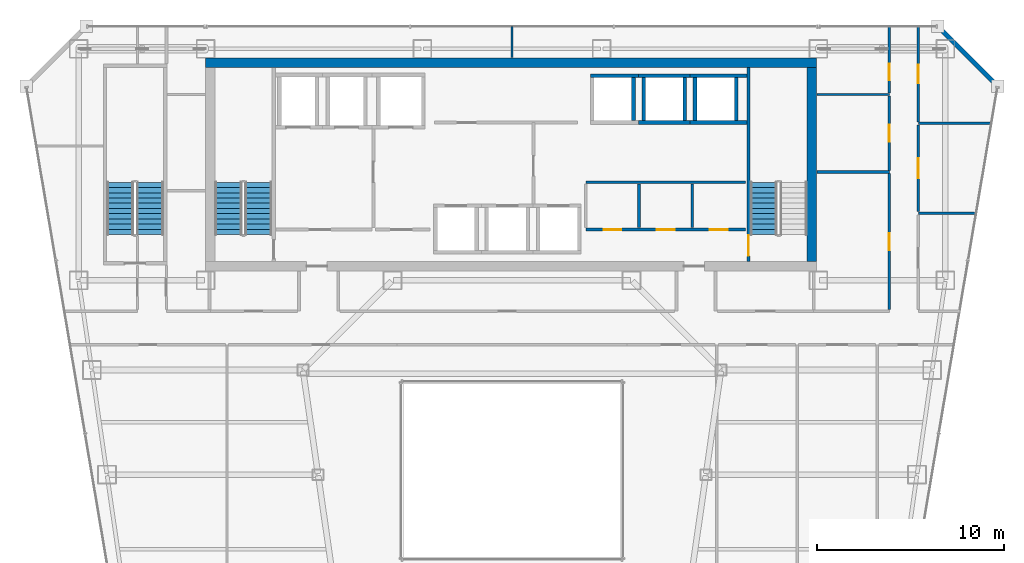
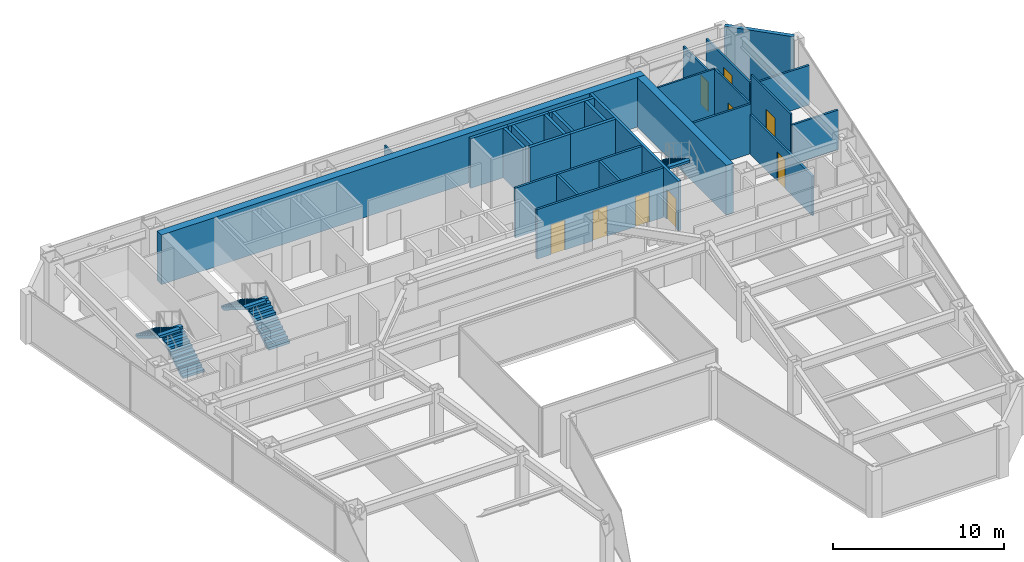
# One storey, part 31 of 35: 28 walls, 9 doors, 5 stair flights, 9 openings, 3 elements without a shape of their own.
"""IFC4 building model written with IfcOpenShell, lengths in metres."""

from ifc_helpers import new_model, si_unit, direction, frame, frame_2d, origin, place, context, subcontext, project, spatial, polyline, rectangle, outline, extrude, material, layer, layer_set, type_object, element, fill, aggregate, save


model = new_model("IFC4")

# Units and contexts
model_context = context("Model", 3, precision=1e-05, world=origin(), true_north=direction((0.0, 1.0)))
body_context = subcontext(model_context, "Body", "Model", "MODEL_VIEW")
ifc_project = project(units=[si_unit("LENGTHUNIT", "METRE"), si_unit("AREAUNIT", "SQUARE_METRE"), si_unit("VOLUMEUNIT", "CUBIC_METRE"), si_unit("PLANEANGLEUNIT", "RADIAN"), si_unit("MASSUNIT", "GRAM", prefix="KILO")], contexts=[model_context])

# Site, building, storey
site_placement = place(None, origin())
site = spatial("IfcSite", under=ifc_project, at=site_placement, CompositionType="ELEMENT")
building_placement = place(site_placement, origin())
building = spatial("IfcBuilding", under=site, at=building_placement, Name="Saevonmaru Cultural Tower", CompositionType="ELEMENT")
storey_placement = place(building_placement, frame((0.0, 0.0, 175.199951171875)))
storey = spatial("IfcBuildingStorey", under=building, at=storey_placement, Name="L39", CompositionType="ELEMENT", Elevation=175.199951171875)

# Walls
ifc_material_1 = material(Name="Concrete C60/75", Category="concrete")
ifc_layer_1 = layer(ifc_material_1, 0.5, Name="Concrete C60/75")
ifc_layer_set_1 = layer_set([ifc_layer_1], Name="Concrete C60/75")
wall_type_1 = type_object("IfcWallType", Name="WL-CORE-500", PredefinedType="SHEAR", material=ifc_layer_set_1)
wall_1_placement = place(storey_placement, frame((13.60009765625, 54.050048828125, 0.0), z_axis=(0.0, 0.0, 1.0), x_axis=(1.0, 0.0, 0.0)))
element("IfcWall", 1, at=wall_1_placement, inside=storey, type_object=wall_type_1, Name="L39 Tower RC core shear wall N", PredefinedType="SHEAR", context=body_context, shape_type="SweptSolid", body=[
    extrude(rectangle(XDim=32.699951171875, YDim=0.5, at=frame_2d((16.35009765625, 0.0))), origin(), (0.0, 0.0, 1.0), 3.550048828125),
])
wall_2_placement = place(storey_placement, frame((46.050048828125, 43.39990234375, 0.0), z_axis=(0.0, 0.0, 1.0), x_axis=(0.0, 1.0, 0.0)))
element("IfcWall", 2, at=wall_2_placement, inside=storey, type_object=wall_type_1, Name="L39 Tower RC core shear wall E", PredefinedType="SHEAR", context=body_context, shape_type="SweptSolid", body=[
    extrude(rectangle(XDim=10.400146484375, YDim=0.5, at=frame_2d((5.2001953125, 0.0))), origin(), (0.0, 0.0, 1.0), 3.550048828125),
])

# Wall, openings, doors
ifc_material_2 = material(Name="Gypsum Fireboard Partition", Category="gypsum")
ifc_layer_2 = layer(ifc_material_2, 0.14990234375, Name="Gypsum Fireboard Partition")
ifc_layer_set_2 = layer_set([ifc_layer_2], Name="Gypsum Fireboard Partition")
wall_type_2 = type_object("IfcWallType", Name="WL-CORE-PART-150", PredefinedType="PARTITIONING", material=ifc_layer_set_2)
wall_3_placement = place(storey_placement, frame((33.949951171875, 45.1201171875, 0.0), z_axis=(0.0, 0.0, 1.0), x_axis=(1.0, 0.0, 0.0)))
wall_3 = element("IfcWall", 3, at=wall_3_placement, inside=storey, type_object=wall_type_2, Name="L39 Core Utility South Wall", PredefinedType="PARTITIONING", context=body_context, shape_type="SweptSolid", body=[
    extrude(rectangle(XDim=8.550048828125, YDim=0.14990234375, at=frame_2d((4.27490234375, 0.0))), origin(), (0.0, 0.0, 1.0), 3.550048828125),
])
opening_1_placement = place(wall_3_placement, frame((0.949951171875, 0.0, 0.0)))
opening_1 = element("IfcOpeningElement", 4, at=opening_1_placement, cuts=wall_3, Name="Opening FD-4", PredefinedType="OPENING", context=body_context, shape_type="SweptSolid", body=[
    extrude(rectangle(XDim=0.949951171875, YDim=2.14990234375, at=frame_2d((0.47509765625, 1.074951171875))), frame((0.0, 0.0849609375, 0.0), z_axis=(0.0, -1.0, 0.0), x_axis=(1.0, 0.0, 0.0)), (0.0, 0.0, 1.0), 0.169921875),
])
opening_2_placement = place(wall_3_placement, frame((3.800048828125, 0.0, 0.0)))
opening_2 = element("IfcOpeningElement", 5, at=opening_2_placement, cuts=wall_3, Name="Opening FD-4", PredefinedType="OPENING", context=body_context, shape_type="SweptSolid", body=[
    extrude(rectangle(XDim=0.949951171875, YDim=2.14990234375, at=frame_2d((0.47509765625, 1.074951171875))), frame((0.0, 0.0849609375, 0.0), z_axis=(0.0, -1.0, 0.0), x_axis=(1.0, 0.0, 0.0)), (0.0, 0.0, 1.0), 0.169921875),
])
opening_3_placement = place(wall_3_placement, frame((6.64990234375, 0.0, 0.0)))
opening_3 = element("IfcOpeningElement", 6, at=opening_3_placement, cuts=wall_3, Name="Opening FD-4", PredefinedType="OPENING", context=body_context, shape_type="SweptSolid", body=[
    extrude(rectangle(XDim=0.949951171875, YDim=2.14990234375, at=frame_2d((0.47509765625, 1.074951171875))), frame((0.0, 0.0849609375, 0.0), z_axis=(0.0, -1.0, 0.0), x_axis=(1.0, 0.0, 0.0)), (0.0, 0.0, 1.0), 0.169921875),
])
ifc_material_3 = material(Name="Satin Bronze Anodised Aluminium", Category="aluminium")
door_type_1 = type_object("IfcDoorType", Name="DR-FD60-950", OperationType="SINGLE_SWING_LEFT", PredefinedType="DOOR", material=ifc_material_3)
door_1_placement = place(opening_1_placement, origin())
door_1 = element("IfcDoor", 7, at=door_1_placement, inside=storey, type_object=door_type_1, Name="L39 Meter Plant Door", OperationType="SINGLE_SWING_LEFT", OverallHeight=2.14990234375, OverallWidth=0.949951171875, PredefinedType="DOOR", context=body_context, shape_type="SweptSolid", body=[
    extrude(rectangle(XDim=0.949951171875, YDim=2.14990234375, at=frame_2d((0.47509765625, 1.074951171875))), frame((0.0, 0.02490234375, 0.0), z_axis=(0.0, -1.0, 0.0), x_axis=(1.0, 0.0, 0.0)), (0.0, 0.0, 1.0), 0.050048828125),
])
fill(opening_1, door_1)
door_2_placement = place(opening_2_placement, origin())
door_2 = element("IfcDoor", 8, at=door_2_placement, inside=storey, type_object=door_type_1, Name="L39 AV Rack Plant Door", OperationType="SINGLE_SWING_LEFT", OverallHeight=2.14990234375, OverallWidth=0.949951171875, PredefinedType="DOOR", context=body_context, shape_type="SweptSolid", body=[
    extrude(rectangle(XDim=0.949951171875, YDim=2.14990234375, at=frame_2d((0.47509765625, 1.074951171875))), frame((0.0, 0.02490234375, 0.0), z_axis=(0.0, -1.0, 0.0), x_axis=(1.0, 0.0, 0.0)), (0.0, 0.0, 1.0), 0.050048828125),
])
fill(opening_2, door_2)
door_3_placement = place(opening_3_placement, origin())
door_3 = element("IfcDoor", 9, at=door_3_placement, inside=storey, type_object=door_type_1, Name="L39 Archive Supply Storage Door", OperationType="SINGLE_SWING_LEFT", OverallHeight=2.14990234375, OverallWidth=0.949951171875, PredefinedType="DOOR", context=body_context, shape_type="SweptSolid", body=[
    extrude(rectangle(XDim=0.949951171875, YDim=2.14990234375, at=frame_2d((0.47509765625, 1.074951171875))), frame((0.0, 0.02490234375, 0.0), z_axis=(0.0, -1.0, 0.0), x_axis=(1.0, 0.0, 0.0)), (0.0, 0.0, 1.0), 0.050048828125),
])
fill(opening_3, door_3)

# Walls
wall_4_placement = place(storey_placement, frame((33.949951171875, 47.64990234375, 0.0), z_axis=(0.0, 0.0, 1.0), x_axis=(1.0, 0.0, 0.0)))
element("IfcWall", 10, at=wall_4_placement, inside=storey, type_object=wall_type_2, Name="L39 Core Utility North Wall", PredefinedType="PARTITIONING", context=body_context, shape_type="SweptSolid", body=[
    extrude(rectangle(XDim=8.550048828125, YDim=0.14990234375, at=frame_2d((4.27490234375, 0.0))), origin(), (0.0, 0.0, 1.0), 3.550048828125),
])
for number, where, z_axis, x_axis, name in (
    (11, (36.800048828125, 45.219970703125, 0.0), (0.0, 0.0, 1.0), (0.0, 1.0, 0.0), "L39 Utility Divider 1"),
    (12, (39.64990234375, 45.219970703125, 0.0), (0.0, 0.0, 1.0), (0.0, 1.0, 0.0), "L39 Utility Divider 2"),
):
    element("IfcWall", number, at=place(storey_placement, frame(where, z_axis=z_axis, x_axis=x_axis)), inside=storey, type_object=wall_type_2, Name=name, PredefinedType="PARTITIONING", context=body_context, shape_type="SweptSolid", body=[
        extrude(rectangle(XDim=2.330078125, YDim=0.14990234375, at=frame_2d((1.1650390625, 0.0))), origin(), (0.0, 0.0, 1.0), 3.550048828125),
    ])
ifc_material_4 = material(Name="Granite-Clad Precast Concrete C40/50", Category="masonry")
ifc_layer_3 = layer(ifc_material_4, 0.260009765625, Name="Granite-Clad Precast Concrete C40/50")
ifc_layer_set_3 = layer_set([ifc_layer_3], Name="Granite-Clad Precast Concrete C40/50")
wall_type_3 = type_object("IfcWallType", Name="WL-EXT-SPANDREL-260", PredefinedType="STANDARD", material=ifc_layer_set_3)
wall_5_placement = place(storey_placement, frame((55.886962890625, 52.9130859375, 0.0), z_axis=(0.0, 0.0, 1.0), x_axis=(-0.707106781187, 0.707106781187, 0.0)))
element("IfcWall", 13, at=wall_5_placement, inside=storey, type_object=wall_type_3, Name="L39 Chamfer Corner Spandrel Wall E9", PredefinedType="STANDARD", context=body_context, shape_type="SweptSolid", body=[
    extrude(rectangle(XDim=4.205810546875, YDim=0.260009765625, at=frame_2d((2.10302734375, 0.0))), origin(), (0.0, 0.0, 1.0), 3.550048828125),
])
ifc_layer_4 = layer(ifc_material_2, 0.1201171875, Name="Gypsum Fireboard Partition")
ifc_layer_set_4 = layer_set([ifc_layer_4], Name="Gypsum Fireboard Partition")
wall_type_4 = type_object("IfcWallType", Name="WL-PART-GYP-120", PredefinedType="PARTITIONING", material=ifc_layer_set_4)
wall_6_placement = place(storey_placement, frame((46.320068359375, 52.35009765625, 0.0), z_axis=(0.0, 0.0, 1.0), x_axis=(1.0, 0.0, 0.0)))
element("IfcWall", 14, at=wall_6_placement, inside=storey, type_object=wall_type_4, Name="L39 North-East Panorama South Wall", PredefinedType="PARTITIONING", context=body_context, shape_type="SweptSolid", body=[
    extrude(rectangle(XDim=3.8798828125, YDim=0.1201171875, at=frame_2d((1.93994140625, 0.0))), origin(), (0.0, 0.0, 1.0), 3.550048828125),
])
wall_7_placement = place(storey_placement, frame((30.0, 54.320068359375, 0.0), z_axis=(0.0, 0.0, 1.0), x_axis=(0.0, 1.0, 0.0)))
element("IfcWall", 15, at=wall_7_placement, inside=storey, type_object=wall_type_4, Name="L39 North Panorama Center Split", PredefinedType="PARTITIONING", context=body_context, shape_type="SweptSolid", body=[
    extrude(rectangle(XDim=1.675048828125, YDim=0.1201171875, at=frame_2d((0.83740234375, 0.0))), origin(), (0.0, 0.0, 1.0), 2.93505859375),
])

# Wall, opening, door
wall_8_placement = place(storey_placement, frame((50.199951171875, 48.2900390625, 0.0), z_axis=(0.0, 0.0, 1.0), x_axis=(0.0, 1.0, 0.0)))
wall_8 = element("IfcWall", 16, at=wall_8_placement, inside=storey, type_object=wall_type_4, Name="L39 Digital Media Classroom Corridor Wall", PredefinedType="PARTITIONING", context=body_context, shape_type="SweptSolid", body=[
    extrude(rectangle(XDim=3.97998046875, YDim=0.1201171875, at=frame_2d((1.989990234375, 0.0))), origin(), (0.0, 0.0, 1.0), 3.550048828125),
])
opening_4_placement = place(wall_8_placement, frame((1.5400390625, 0.0, 0.0)))
opening_4 = element("IfcOpeningElement", 17, at=opening_4_placement, cuts=wall_8, Name="Opening ID-2", PredefinedType="OPENING", context=body_context, shape_type="SweptSolid", body=[
    extrude(rectangle(XDim=0.89990234375, YDim=2.10009765625, at=frame_2d((0.449951171875, 1.050048828125))), frame((0.0, 0.070068359375, 0.0), z_axis=(0.0, -1.0, 0.0), x_axis=(1.0, 0.0, 0.0)), (0.0, 0.0, 1.0), 0.14013671875),
])
ifc_material_5 = material(Name="Acoustic Stained Oak Timber", Category="wood")
door_type_2 = type_object("IfcDoorType", Name="DR-INT-900", OperationType="SINGLE_SWING_RIGHT", PredefinedType="DOOR", material=ifc_material_5)
door_4_placement = place(opening_4_placement, origin())
door_4 = element("IfcDoor", 18, at=door_4_placement, inside=storey, type_object=door_type_2, Name="L39 Digital Media Classroom Door", OperationType="SINGLE_SWING_LEFT", OverallHeight=2.10009765625, OverallWidth=0.89990234375, PredefinedType="DOOR", context=body_context, shape_type="SweptSolid", body=[
    extrude(rectangle(XDim=0.89990234375, YDim=2.10009765625, at=frame_2d((0.449951171875, 1.050048828125))), frame((0.0, 0.02490234375, 0.0), z_axis=(0.0, -1.0, 0.0), x_axis=(1.0, 0.0, 0.0)), (0.0, 0.0, 1.0), 0.050048828125),
])
fill(opening_4, door_4)

wall_9_placement = place(storey_placement, frame((50.199951171875, 52.429931640625, 0.0), z_axis=(0.0, 0.0, 1.0), x_axis=(0.0, 1.0, 0.0)))
wall_9 = element("IfcWall", 19, at=wall_9_placement, inside=storey, type_object=wall_type_4, Name="L39 Design Seminar Classroom Corridor Wall", PredefinedType="PARTITIONING", context=body_context, shape_type="SweptSolid", body=[
    extrude(rectangle(XDim=3.565185546875, YDim=0.1201171875, at=frame_2d((1.78271484375, 0.0))), origin(), (0.0, 0.0, 1.0), 2.93505859375),
])
opening_5_placement = place(wall_9_placement, frame((0.672119140625, 0.0, 0.0)))
opening_5 = element("IfcOpeningElement", 20, at=opening_5_placement, cuts=wall_9, Name="Opening ID-2", PredefinedType="OPENING", context=body_context, shape_type="SweptSolid", body=[
    extrude(rectangle(XDim=0.89990234375, YDim=2.10009765625, at=frame_2d((0.449951171875, 1.050048828125))), frame((0.0, 0.070068359375, 0.0), z_axis=(0.0, -1.0, 0.0), x_axis=(1.0, 0.0, 0.0)), (0.0, 0.0, 1.0), 0.14013671875),
])
door_5_placement = place(opening_5_placement, origin())
door_5 = element("IfcDoor", 21, at=door_5_placement, inside=storey, type_object=door_type_2, Name="L39 Design Seminar Classroom Door", OperationType="SINGLE_SWING_RIGHT", OverallHeight=2.10009765625, OverallWidth=0.89990234375, PredefinedType="DOOR", context=body_context, shape_type="SweptSolid", body=[
    extrude(rectangle(XDim=0.89990234375, YDim=2.10009765625, at=frame_2d((0.449951171875, 1.050048828125))), frame((0.0, 0.02490234375, 0.0), z_axis=(0.0, -1.0, 0.0), x_axis=(1.0, 0.0, 0.0)), (0.0, 0.0, 1.0), 0.050048828125),
])
fill(opening_5, door_5)

wall_10_placement = place(storey_placement, frame((51.75, 46.08740234375, 0.0), z_axis=(0.0, 0.0, 1.0), x_axis=(0.0, 1.0, 0.0)))
wall_10 = element("IfcWall", 22, at=wall_10_placement, inside=storey, type_object=wall_type_4, Name="L39 Cartographic Study Library Corridor Wall", PredefinedType="PARTITIONING", context=body_context, shape_type="SweptSolid", body=[
    extrude(rectangle(XDim=4.625, YDim=0.1201171875, at=frame_2d((2.3125, 0.0))), origin(), (0.0, 0.0, 1.0), 3.550048828125),
])
opening_6_placement = place(wall_10_placement, frame((1.7880859375, 0.0, 0.0)))
opening_6 = element("IfcOpeningElement", 23, at=opening_6_placement, cuts=wall_10, Name="Opening ID-1", PredefinedType="OPENING", context=body_context, shape_type="SweptSolid", body=[
    extrude(rectangle(XDim=1.050048828125, YDim=2.14990234375, at=frame_2d((0.52490234375, 1.074951171875))), frame((0.0, 0.070068359375, 0.0), z_axis=(0.0, -1.0, 0.0), x_axis=(1.0, 0.0, 0.0)), (0.0, 0.0, 1.0), 0.14013671875),
])
door_type_3 = type_object("IfcDoorType", Name="DR-INT-1050", OperationType="SINGLE_SWING_LEFT", PredefinedType="DOOR", material=ifc_material_3)
door_6_placement = place(opening_6_placement, origin())
door_6 = element("IfcDoor", 24, at=door_6_placement, inside=storey, type_object=door_type_3, Name="L39 Cartographic Study Library Door", OperationType="SINGLE_SWING_RIGHT", OverallHeight=2.14990234375, OverallWidth=1.050048828125, PredefinedType="DOOR", context=body_context, shape_type="SweptSolid", body=[
    extrude(rectangle(XDim=1.050048828125, YDim=2.14990234375, at=frame_2d((0.52490234375, 1.074951171875))), frame((0.0, 0.02490234375, 0.0), z_axis=(0.0, -1.0, 0.0), x_axis=(1.0, 0.0, 0.0)), (0.0, 0.0, 1.0), 0.050048828125),
])
fill(opening_6, door_6)

wall_11_placement = place(storey_placement, frame((51.75, 50.887451171875, 0.0), z_axis=(0.0, 0.0, 1.0), x_axis=(0.0, 1.0, 0.0)))
wall_11 = element("IfcWall", 25, at=wall_11_placement, inside=storey, type_object=wall_type_4, Name="L39 Panoramic Salon Restaurant Corridor Wall", PredefinedType="PARTITIONING", context=body_context, shape_type="SweptSolid", body=[
    extrude(rectangle(XDim=5.107666015625, YDim=0.1201171875, at=frame_2d((2.5537109375, 0.0))), origin(), (0.0, 0.0, 1.0), 2.93505859375),
])
opening_7_placement = place(wall_11_placement, frame((2.053955078125, 0.0, 0.0)))
opening_7 = element("IfcOpeningElement", 26, at=opening_7_placement, cuts=wall_11, Name="Opening ID-1B", PredefinedType="OPENING", context=body_context, shape_type="SweptSolid", body=[
    extrude(rectangle(XDim=1.0, YDim=2.14990234375, at=frame_2d((0.5, 1.074951171875))), frame((0.0, 0.070068359375, 0.0), z_axis=(0.0, -1.0, 0.0), x_axis=(1.0, 0.0, 0.0)), (0.0, 0.0, 1.0), 0.14013671875),
])
door_type_4 = type_object("IfcDoorType", Name="DR-INT-1000", OperationType="SINGLE_SWING_RIGHT", PredefinedType="DOOR", material=ifc_material_5)
door_7_placement = place(opening_7_placement, origin())
door_7 = element("IfcDoor", 27, at=door_7_placement, inside=storey, type_object=door_type_4, Name="L39 Panoramic Salon Restaurant Door", OperationType="SINGLE_SWING_LEFT", OverallHeight=2.14990234375, OverallWidth=1.0, PredefinedType="DOOR", context=body_context, shape_type="SweptSolid", body=[
    extrude(rectangle(XDim=1.0, YDim=2.14990234375, at=frame_2d((0.5, 1.074951171875))), frame((0.0, 0.02490234375, 0.0), z_axis=(0.0, -1.0, 0.0), x_axis=(1.0, 0.0, 0.0)), (0.0, 0.0, 1.0), 0.050048828125),
])
fill(opening_7, door_7)

# Walls
ifc_layer_5 = layer(ifc_material_2, 0.135009765625, Name="Gypsum Fireboard Partition")
ifc_layer_set_5 = layer_set([ifc_layer_5], Name="Gypsum Fireboard Partition")
wall_type_5 = type_object("IfcWallType", Name="WL-PART-GYP-135", PredefinedType="PARTITIONING", material=ifc_layer_set_5)
wall_12_placement = place(storey_placement, frame((51.75, 46.0, 0.0), z_axis=(0.0, 0.0, 1.0), x_axis=(1.0, 0.0, 0.0)))
element("IfcWall", 28, at=wall_12_placement, inside=storey, type_object=wall_type_5, Name="L39 NE Studio Divider 1", PredefinedType="PARTITIONING", context=body_context, shape_type="SweptSolid", body=[
    extrude(rectangle(XDim=3.09375, YDim=0.135009765625, at=frame_2d((1.546875, 0.0))), origin(), (0.0, 0.0, 1.0), 2.8349609375),
])
wall_13_placement = place(storey_placement, frame((51.75, 50.800048828125, 0.0), z_axis=(0.0, 0.0, 1.0), x_axis=(1.0, 0.0, 0.0)))
element("IfcWall", 29, at=wall_13_placement, inside=storey, type_object=wall_type_5, Name="L39 NE Studio Divider 2", PredefinedType="PARTITIONING", context=body_context, shape_type="SweptSolid", body=[
    extrude(rectangle(XDim=3.90625, YDim=0.135009765625, at=frame_2d((1.953125, 0.0))), origin(), (0.0, 0.0, 1.0), 2.8349609375),
])
ifc_layer_6 = layer(ifc_material_2, 0.139892578125, Name="Gypsum Fireboard Partition")
ifc_layer_set_6 = layer_set([ifc_layer_6], Name="Gypsum Fireboard Partition")
wall_type_6 = type_object("IfcWallType", Name="WL-PART-WET-140", PredefinedType="PARTITIONING", material=ifc_layer_set_6)
wall_14_placement = place(storey_placement, frame((46.320068359375, 48.199951171875, 0.0), z_axis=(0.0, 0.0, 1.0), x_axis=(1.0, 0.0, 0.0)))
element("IfcWall", 30, at=wall_14_placement, inside=storey, type_object=wall_type_6, Name="L39 Washroom North Wall", PredefinedType="PARTITIONING", context=body_context, shape_type="SweptSolid", body=[
    extrude(rectangle(XDim=3.8798828125, YDim=0.139892578125, at=frame_2d((1.93994140625, 0.0))), origin(), (0.0, 0.0, 1.0), 3.550048828125),
])

# Wall, opening, door
wall_15_placement = place(storey_placement, frame((50.199951171875, 40.840087890625, 0.0), z_axis=(0.0, 0.0, 1.0), x_axis=(0.0, 1.0, 0.0)))
wall_15 = element("IfcWall", 31, at=wall_15_placement, inside=storey, type_object=wall_type_6, Name="L39 Washroom Corridor Wall", PredefinedType="PARTITIONING", context=body_context, shape_type="SweptSolid", body=[
    extrude(rectangle(XDim=7.27001953125, YDim=0.139892578125, at=frame_2d((3.635009765625, 0.0))), origin(), (0.0, 0.0, 1.0), 2.8349609375),
])
opening_8_placement = place(wall_15_placement, frame((3.18505859375, 0.0, 0.0)))
opening_8 = element("IfcOpeningElement", 32, at=opening_8_placement, cuts=wall_15, Name="Opening ID-2", PredefinedType="OPENING", context=body_context, shape_type="SweptSolid", body=[
    extrude(rectangle(XDim=0.89990234375, YDim=2.10009765625, at=frame_2d((0.449951171875, 1.050048828125))), frame((0.0, 0.080078125, 0.0), z_axis=(0.0, -1.0, 0.0), x_axis=(1.0, 0.0, 0.0)), (0.0, 0.0, 1.0), 0.159912109375),
])
door_8_placement = place(opening_8_placement, origin())
door_8 = element("IfcDoor", 33, at=door_8_placement, inside=storey, type_object=door_type_2, Name="L39 Public Accessible Washrooms Door", OperationType="SINGLE_SWING_RIGHT", OverallHeight=2.10009765625, OverallWidth=0.89990234375, PredefinedType="DOOR", context=body_context, shape_type="SweptSolid", body=[
    extrude(rectangle(XDim=0.89990234375, YDim=2.10009765625, at=frame_2d((0.449951171875, 1.050048828125))), frame((0.0, 0.02490234375, 0.0), z_axis=(0.0, -1.0, 0.0), x_axis=(1.0, 0.0, 0.0)), (0.0, 0.0, 1.0), 0.050048828125),
])
fill(opening_8, door_8)

# Walls
ifc_material_6 = material(Name="Concrete C40/50", Category="concrete")
ifc_layer_7 = layer(ifc_material_6, 0.199951171875, Name="Concrete C40/50")
ifc_layer_set_7 = layer_set([ifc_layer_7], Name="Concrete C40/50")
wall_type_7 = type_object("IfcWallType", Name="WL-SHAFT-200", PredefinedType="SHEAR", material=ifc_layer_set_7)
wall_16_placement = place(storey_placement, frame((34.199951171875, 53.35009765625, 0.0), z_axis=(0.0, 0.0, 1.0), x_axis=(1.0, 0.0, 0.0)))
element("IfcWall", 34, at=wall_16_placement, inside=storey, type_object=wall_type_7, Name="L39 Lift PL-H1 Hoistway Wall N", PredefinedType="SHEAR", context=body_context, shape_type="SweptSolid", body=[
    extrude(rectangle(XDim=2.574951171875, YDim=0.199951171875, at=frame_2d((1.28759765625, 0.0))), origin(), (0.0, 0.0, 1.0), 3.550048828125),
])
wall_17_placement = place(storey_placement, frame((36.5, 50.949951171875, 0.0), z_axis=(0.0, 0.0, 1.0), x_axis=(0.0, 1.0, 0.0)))
element("IfcWall", 35, at=wall_17_placement, inside=storey, type_object=wall_type_7, Name="L39 Lift PL-H1 Hoistway Wall E", PredefinedType="SHEAR", context=body_context, shape_type="SweptSolid", body=[
    extrude(rectangle(XDim=2.300048828125, YDim=0.199951171875, at=frame_2d((1.14990234375, 0.0))), origin(), (0.0, 0.0, 1.0), 3.550048828125),
])
for number, where, z_axis, x_axis, name in (
    (36, (36.77490234375, 50.85009765625, 0.0), (0.0, 0.0, 1.0), (1.0, 0.0, 0.0), "L39 Lift PL-H2 Hoistway Wall S"),
    (37, (36.77490234375, 53.35009765625, 0.0), (0.0, 0.0, 1.0), (1.0, 0.0, 0.0), "L39 Lift PL-H2 Hoistway Wall N"),
):
    element("IfcWall", number, at=place(storey_placement, frame(where, z_axis=z_axis, x_axis=x_axis)), inside=storey, type_object=wall_type_7, Name=name, PredefinedType="SHEAR", context=body_context, shape_type="SweptSolid", body=[
        extrude(rectangle(XDim=2.75, YDim=0.199951171875, at=frame_2d((1.375, 0.0))), origin(), (0.0, 0.0, 1.0), 3.550048828125),
    ])
for number, where, z_axis, x_axis, name in (
    (38, (37.050048828125, 50.949951171875, 0.0), (0.0, 0.0, 1.0), (0.0, 1.0, 0.0), "L39 Lift PL-H2 Hoistway Wall W"),
    (39, (39.25, 50.949951171875, 0.0), (0.0, 0.0, 1.0), (0.0, 1.0, 0.0), "L39 Lift PL-H2 Hoistway Wall E"),
):
    element("IfcWall", number, at=place(storey_placement, frame(where, z_axis=z_axis, x_axis=x_axis)), inside=storey, type_object=wall_type_7, Name=name, PredefinedType="SHEAR", context=body_context, shape_type="SweptSolid", body=[
        extrude(rectangle(XDim=2.300048828125, YDim=0.199951171875, at=frame_2d((1.14990234375, 0.0))), origin(), (0.0, 0.0, 1.0), 3.550048828125),
    ])
for number, where, z_axis, x_axis, name in (
    (40, (39.52490234375, 50.85009765625, 0.0), (0.0, 0.0, 1.0), (1.0, 0.0, 0.0), "L39 Lift PL-H3 Hoistway Wall S"),
    (41, (39.52490234375, 53.35009765625, 0.0), (0.0, 0.0, 1.0), (1.0, 0.0, 0.0), "L39 Lift PL-H3 Hoistway Wall N"),
):
    element("IfcWall", number, at=place(storey_placement, frame(where, z_axis=z_axis, x_axis=x_axis)), inside=storey, type_object=wall_type_7, Name=name, PredefinedType="SHEAR", context=body_context, shape_type="SweptSolid", body=[
        extrude(rectangle(XDim=3.045166015625, YDim=0.199951171875, at=frame_2d((1.5224609375, 0.0))), origin(), (0.0, 0.0, 1.0), 3.550048828125),
    ])
for number, where, z_axis, x_axis, name in (
    (42, (39.800048828125, 50.949951171875, 0.0), (0.0, 0.0, 1.0), (0.0, 1.0, 0.0), "L39 Lift PL-H3 Hoistway Wall W"),
    (43, (42.0, 50.949951171875, 0.0), (0.0, 0.0, 1.0), (0.0, 1.0, 0.0), "L39 Lift PL-H3 Hoistway Wall E"),
):
    element("IfcWall", number, at=place(storey_placement, frame(where, z_axis=z_axis, x_axis=x_axis)), inside=storey, type_object=wall_type_7, Name=name, PredefinedType="SHEAR", context=body_context, shape_type="SweptSolid", body=[
        extrude(rectangle(XDim=2.300048828125, YDim=0.199951171875, at=frame_2d((1.14990234375, 0.0))), origin(), (0.0, 0.0, 1.0), 3.550048828125),
    ])

# Wall, opening, door
ifc_layer_8 = layer(ifc_material_6, 0.179931640625, Name="Concrete C40/50")
ifc_layer_set_8 = layer_set([ifc_layer_8], Name="Concrete C40/50")
wall_type_8 = type_object("IfcWallType", Name="WL-STSHAFT-180", PredefinedType="SHEAR", material=ifc_layer_set_8)
wall_18_placement = place(storey_placement, frame((42.659912109375, 53.800048828125, 0.0), z_axis=(0.0, 0.0, 1.0), x_axis=(0.0, -1.0, 0.0)))
wall_18 = element("IfcWall", 44, at=wall_18_placement, inside=storey, type_object=wall_type_8, Name="L39 Stair ST-2 Structural Shaft Wall 1", PredefinedType="SHEAR", context=body_context, shape_type="SweptSolid", body=[
    extrude(rectangle(XDim=10.400146484375, YDim=0.179931640625, at=frame_2d((5.2001953125, 0.0))), origin(), (0.0, 0.0, 1.0), 3.550048828125),
])
opening_9_placement = place(wall_18_placement, frame((8.989990234375, 0.0, 0.0)))
opening_9 = element("IfcOpeningElement", 45, at=opening_9_placement, cuts=wall_18, Name="Opening FD-2", PredefinedType="OPENING", context=body_context, shape_type="SweptSolid", body=[
    extrude(rectangle(XDim=1.10009765625, YDim=2.14990234375, at=frame_2d((0.550048828125, 1.074951171875))), frame((0.0, 0.10009765625, 0.0), z_axis=(0.0, -1.0, 0.0), x_axis=(1.0, 0.0, 0.0)), (0.0, 0.0, 1.0), 0.199951171875),
])
door_type_5 = type_object("IfcDoorType", Name="DR-FD60-1100", OperationType="SINGLE_SWING_LEFT", PredefinedType="DOOR", material=ifc_material_3)
door_9_placement = place(opening_9_placement, origin())
door_9 = element("IfcDoor", 46, at=door_9_placement, inside=storey, type_object=door_type_5, Name="L39 Protected Stair ST-2 Fire Door", OperationType="SINGLE_SWING_LEFT", OverallHeight=2.14990234375, OverallWidth=1.10009765625, PredefinedType="DOOR", context=body_context, shape_type="SweptSolid", body=[
    extrude(rectangle(XDim=1.10009765625, YDim=2.14990234375, at=frame_2d((0.550048828125, 1.074951171875))), frame((0.0, 0.02490234375, 0.0), z_axis=(0.0, -1.0, 0.0), x_axis=(1.0, 0.0, 0.0)), (0.0, 0.0, 1.0), 0.050048828125),
])
fill(opening_9, door_9)

# Stair, stair flights
stair_type = type_object("IfcStairType", Name="STR-DOGLEG-RC", PredefinedType="HALF_TURN_STAIR", material=ifc_material_6)
stair_1_placement = place(storey_placement, origin())
stair_1 = element("IfcStair", 47, at=stair_1_placement, inside=storey, type_object=stair_type, Name="L39 Protected exit stair ST-1", PredefinedType="HALF_TURN_STAIR")
ifc_material_7 = material(Name="Precast concrete C40/50", Category="concrete")
stair_flight_type = type_object("IfcStairFlightType", Name="STF-PRECAST-180", PredefinedType="STRAIGHT", material=ifc_material_7)
stair_flight_1_placement = place(storey_placement, frame((16.425048828125, 44.85009765625, 0.0), z_axis=(0.0, 0.0, 1.0), x_axis=(0.0, 1.0, 0.0)))
stair_flight_1 = element("IfcStairFlight", 48, at=stair_flight_1_placement, type_object=stair_flight_type, Name="ST-1-L39 flight 1", NumberOfRisers=11, NumberOfTreads=10, PredefinedType="STRAIGHT", RiserHeight=0.172727273, TreadLength=0.28, context=body_context, shape_type="SweptSolid", body=[
    extrude(outline(polyline([(0.0, 0.0), (0.0, 0.172607421875), (0.280029296875, 0.172607421875), (0.280029296875, 0.345458984375), (0.56005859375, 0.345458984375), (0.56005859375, 0.51806640625), (0.840087890625, 0.51806640625), (0.840087890625, 0.69091796875), (1.1201171875, 0.69091796875), (1.1201171875, 0.863525390625), (1.39990234375, 0.863525390625), (1.39990234375, 1.036376953125), (1.679931640625, 1.036376953125), (1.679931640625, 1.208984375), (1.9599609375, 1.208984375), (1.9599609375, 1.3818359375), (2.239990234375, 1.3818359375), (2.239990234375, 1.554443359375), (2.52001953125, 1.554443359375), (2.52001953125, 1.727294921875), (2.800048828125, 1.727294921875), (2.800048828125, 1.89990234375), (2.800048828125, 1.551025390625), (0.285400390625, 0.0), (0.0, 0.0)])), frame((0.0, 0.72509765625, 0.0), z_axis=(0.0, -1.0, 0.0), x_axis=(1.0, 0.0, 0.0)), (0.0, 0.0, 1.0), 1.449951171875),
])
stair_flight_2_placement = place(storey_placement, frame((14.824951171875, 47.64990234375, 1.900146484375), z_axis=(0.0, 0.0, 1.0), x_axis=(0.0, -1.0, 0.0)))
stair_flight_2 = element("IfcStairFlight", 49, at=stair_flight_2_placement, type_object=stair_flight_type, Name="ST-1-L39 flight 2", NumberOfRisers=11, NumberOfTreads=10, PredefinedType="STRAIGHT", RiserHeight=0.172727273, TreadLength=0.28, context=body_context, shape_type="SweptSolid", body=[
    extrude(outline(polyline([(0.0, 0.0), (0.0, 0.172607421875), (0.280029296875, 0.172607421875), (0.280029296875, 0.345458984375), (0.56005859375, 0.345458984375), (0.56005859375, 0.51806640625), (0.840087890625, 0.51806640625), (0.840087890625, 0.69091796875), (1.1201171875, 0.69091796875), (1.1201171875, 0.863525390625), (1.39990234375, 0.863525390625), (1.39990234375, 1.036376953125), (1.679931640625, 1.036376953125), (1.679931640625, 1.208984375), (1.9599609375, 1.208984375), (1.9599609375, 1.3818359375), (2.239990234375, 1.3818359375), (2.239990234375, 1.554443359375), (2.52001953125, 1.554443359375), (2.52001953125, 1.727294921875), (2.800048828125, 1.727294921875), (2.800048828125, 1.89990234375), (2.800048828125, 1.551025390625), (0.285400390625, 0.0), (0.0, 0.0)])), frame((0.0, 0.72509765625, 0.0), z_axis=(0.0, -1.0, 0.0), x_axis=(1.0, 0.0, 0.0)), (0.0, 0.0, 1.0), 1.449951171875),
])
aggregate(stair_1, [stair_flight_1, stair_flight_2])

# Stair, stair flight
stair_2_placement = place(storey_placement, origin())
stair_2 = element("IfcStair", 50, at=stair_2_placement, inside=storey, type_object=stair_type, Name="L39 Protected exit stair ST-2", PredefinedType="HALF_TURN_STAIR")
stair_flight_3_placement = place(storey_placement, frame((43.47509765625, 47.64990234375, 1.900146484375), z_axis=(0.0, 0.0, 1.0), x_axis=(0.0, -1.0, 0.0)))
stair_flight_3 = element("IfcStairFlight", 51, at=stair_flight_3_placement, type_object=stair_flight_type, Name="ST-2-L39 flight 2", NumberOfRisers=11, NumberOfTreads=10, PredefinedType="STRAIGHT", RiserHeight=0.172727273, TreadLength=0.28, context=body_context, shape_type="SweptSolid", body=[
    extrude(outline(polyline([(0.0, 0.0), (0.0, 0.172607421875), (0.280029296875, 0.172607421875), (0.280029296875, 0.345458984375), (0.56005859375, 0.345458984375), (0.56005859375, 0.51806640625), (0.840087890625, 0.51806640625), (0.840087890625, 0.69091796875), (1.1201171875, 0.69091796875), (1.1201171875, 0.863525390625), (1.39990234375, 0.863525390625), (1.39990234375, 1.036376953125), (1.679931640625, 1.036376953125), (1.679931640625, 1.208984375), (1.9599609375, 1.208984375), (1.9599609375, 1.3818359375), (2.239990234375, 1.3818359375), (2.239990234375, 1.554443359375), (2.52001953125, 1.554443359375), (2.52001953125, 1.727294921875), (2.800048828125, 1.727294921875), (2.800048828125, 1.89990234375), (2.800048828125, 1.551025390625), (0.285400390625, 0.0), (0.0, 0.0)])), frame((0.0, 0.72509765625, 0.0), z_axis=(0.0, -1.0, 0.0), x_axis=(1.0, 0.0, 0.0)), (0.0, 0.0, 1.0), 1.449951171875),
])
aggregate(stair_2, [stair_flight_3])

# Stair, stair flights
stair_3_placement = place(storey_placement, origin())
stair_3 = element("IfcStair", 52, at=stair_3_placement, inside=storey, type_object=stair_type, Name="L39 Protected exit stair ST-3", PredefinedType="HALF_TURN_STAIR")
stair_flight_4_placement = place(storey_placement, frame((10.625, 44.85009765625, 0.0), z_axis=(0.0, 0.0, 1.0), x_axis=(0.0, 1.0, 0.0)))
stair_flight_4 = element("IfcStairFlight", 53, at=stair_flight_4_placement, type_object=stair_flight_type, Name="ST-3-L39 flight 1", NumberOfRisers=11, NumberOfTreads=10, PredefinedType="STRAIGHT", RiserHeight=0.172727273, TreadLength=0.28, context=body_context, shape_type="SweptSolid", body=[
    extrude(outline(polyline([(0.0, 0.0), (0.0, 0.172607421875), (0.280029296875, 0.172607421875), (0.280029296875, 0.345458984375), (0.56005859375, 0.345458984375), (0.56005859375, 0.51806640625), (0.840087890625, 0.51806640625), (0.840087890625, 0.69091796875), (1.1201171875, 0.69091796875), (1.1201171875, 0.863525390625), (1.39990234375, 0.863525390625), (1.39990234375, 1.036376953125), (1.679931640625, 1.036376953125), (1.679931640625, 1.208984375), (1.9599609375, 1.208984375), (1.9599609375, 1.3818359375), (2.239990234375, 1.3818359375), (2.239990234375, 1.554443359375), (2.52001953125, 1.554443359375), (2.52001953125, 1.727294921875), (2.800048828125, 1.727294921875), (2.800048828125, 1.89990234375), (2.800048828125, 1.551025390625), (0.285400390625, 0.0), (0.0, 0.0)])), frame((0.0, 0.72509765625, 0.0), z_axis=(0.0, -1.0, 0.0), x_axis=(1.0, 0.0, 0.0)), (0.0, 0.0, 1.0), 1.449951171875),
])
stair_flight_5_placement = place(storey_placement, frame((9.02490234375, 47.64990234375, 1.900146484375), z_axis=(0.0, 0.0, 1.0), x_axis=(0.0, -1.0, 0.0)))
stair_flight_5 = element("IfcStairFlight", 54, at=stair_flight_5_placement, type_object=stair_flight_type, Name="ST-3-L39 flight 2", NumberOfRisers=11, NumberOfTreads=10, PredefinedType="STRAIGHT", RiserHeight=0.172727273, TreadLength=0.28, context=body_context, shape_type="SweptSolid", body=[
    extrude(outline(polyline([(0.0, 0.0), (0.0, 0.172607421875), (0.280029296875, 0.172607421875), (0.280029296875, 0.345458984375), (0.56005859375, 0.345458984375), (0.56005859375, 0.51806640625), (0.840087890625, 0.51806640625), (0.840087890625, 0.69091796875), (1.1201171875, 0.69091796875), (1.1201171875, 0.863525390625), (1.39990234375, 0.863525390625), (1.39990234375, 1.036376953125), (1.679931640625, 1.036376953125), (1.679931640625, 1.208984375), (1.9599609375, 1.208984375), (1.9599609375, 1.3818359375), (2.239990234375, 1.3818359375), (2.239990234375, 1.554443359375), (2.52001953125, 1.554443359375), (2.52001953125, 1.727294921875), (2.800048828125, 1.727294921875), (2.800048828125, 1.89990234375), (2.800048828125, 1.551025390625), (0.285400390625, 0.0), (0.0, 0.0)])), frame((0.0, 0.72509765625, 0.0), z_axis=(0.0, -1.0, 0.0), x_axis=(1.0, 0.0, 0.0)), (0.0, 0.0, 1.0), 1.449951171875),
])
aggregate(stair_3, [stair_flight_4, stair_flight_5])

save(model, "model.ifc")
